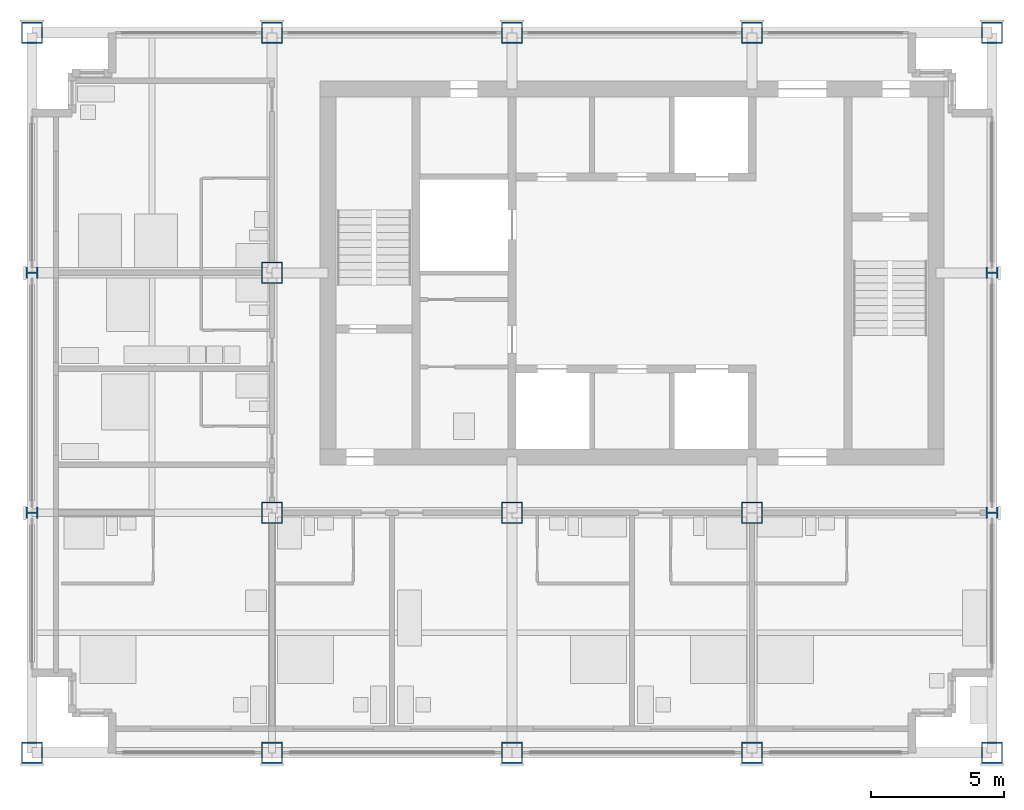
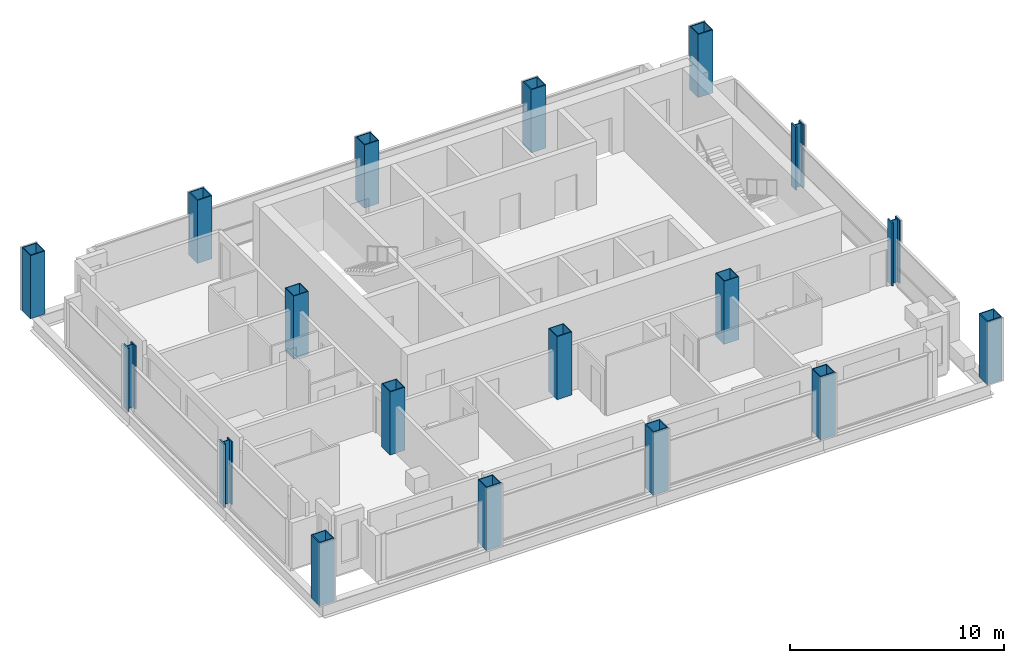
# One storey, part 1 of 12: 18 columns.
"""IFC4 building model written with IfcOpenShell, lengths in metres."""

from ifc_helpers import new_model, si_unit, direction, frame, origin, origin_2d, place, context, subcontext, project, spatial, hollow_rectangle, i_section, extrude, material, material_profile, profile_set, type_object, element, save


model = new_model("IFC4")

# Units and contexts
model_context = context("Model", 3, precision=1e-05, world=origin(), true_north=direction((0.0, 1.0)))
body_context = subcontext(model_context, "Body", "Model", "MODEL_VIEW")
ifc_project = project(units=[si_unit("LENGTHUNIT", "METRE"), si_unit("AREAUNIT", "SQUARE_METRE"), si_unit("VOLUMEUNIT", "CUBIC_METRE"), si_unit("PLANEANGLEUNIT", "RADIAN"), si_unit("MASSUNIT", "GRAM", prefix="KILO")], contexts=[model_context])

# Site, building, storey
site_placement = place(None, origin())
site = spatial("IfcSite", under=ifc_project, at=site_placement, CompositionType="ELEMENT")
building_placement = place(site_placement, origin())
building = spatial("IfcBuilding", under=site, at=building_placement, Name="Loomwork Tower", CompositionType="ELEMENT")
storey_placement = place(building_placement, frame((0.0, 0.0, 237.39990234375)))
storey = spatial("IfcBuildingStorey", under=building, at=storey_placement, Name="L65", CompositionType="ELEMENT", Elevation=237.39990234375)

# Columns
ifc_material_1 = material(Name="Steel ASTM A572 Grade 50 plate", Category="steel")
ifc_material_profile_1 = material_profile(ifc_material_1, hollow_rectangle(XDim=0.800048828125, YDim=0.800048828125, WallThickness=0.050048828125, at=origin_2d()), Name="BOX800x50")
ifc_profile_set_1 = profile_set([ifc_material_profile_1], Name="Steel ASTM A572 Grade 50 plate")
column_type_1 = type_object("IfcColumnType", Name="EXOSKELETON PIER BOX800x50", PredefinedType="COLUMN", material=ifc_profile_set_1)
for number, where, z_axis, x_axis, name in (
    (1, (0.0, 0.0, 0.0), (0.0, 0.0, 1.0), (1.0, 0.0, 0.0), "Exoskeleton Pier D/2 L65"),
    (2, (0.0, 27.0, 0.0), (0.0, 0.0, 1.0), (0.0, 1.0, 0.0), "Exoskeleton Pier G/2 L65"),
    (3, (9.0, 0.0, 0.0), (0.0, 0.0, 1.0), (1.0, 0.0, 0.0), "Exoskeleton Pier D/3 L65"),
    (4, (9.0, 27.0, 0.0), (0.0, 0.0, 1.0), (1.0, 0.0, 0.0), "Exoskeleton Pier G/3 L65"),
    (5, (18.0, 0.0, 0.0), (0.0, 0.0, 1.0), (1.0, 0.0, 0.0), "Exoskeleton Pier D/4 L65"),
    (6, (18.0, 27.0, 0.0), (0.0, 0.0, 1.0), (1.0, 0.0, 0.0), "Exoskeleton Pier G/4 L65"),
    (7, (27.0, 0.0, 0.0), (0.0, 0.0, 1.0), (1.0, 0.0, 0.0), "Exoskeleton Pier D/5 L65"),
    (8, (27.0, 27.0, 0.0), (0.0, 0.0, 1.0), (1.0, 0.0, 0.0), "Exoskeleton Pier G/5 L65"),
    (9, (36.0, 0.0, 0.0), (0.0, 0.0, 1.0), (1.0, 0.0, 0.0), "Exoskeleton Pier D/6 L65"),
    (10, (36.0, 27.0, 0.0), (0.0, 0.0, 1.0), (1.0, 0.0, 0.0), "Exoskeleton Pier G/6 L65"),
):
    element("IfcColumn", number, at=place(storey_placement, frame(where, z_axis=z_axis, x_axis=x_axis)), inside=storey, type_object=column_type_1, Name=name, PredefinedType="COLUMN", context=body_context, shape_type="SweptSolid", body=[
        extrude(hollow_rectangle(XDim=0.800048828125, YDim=0.800048828125, WallThickness=0.050048828125, at=origin_2d()), origin(), (0.0, 0.0, 1.0), 3.60009765625),
    ])
ifc_material_2 = material(Name="Steel ASTM A992", Category="steel")
ifc_material_profile_2 = material_profile(ifc_material_2, i_section(OverallWidth=0.421630859375, OverallDepth=0.46484375, WebThickness=0.044921875, FlangeThickness=0.072509765625, at=origin_2d()), Name="W14x398")
ifc_profile_set_2 = profile_set([ifc_material_profile_2], Name="Steel ASTM A992")
column_type_2 = type_object("IfcColumnType", Name="EXOSKELETON PIER W14x398", PredefinedType="COLUMN", material=ifc_profile_set_2)
for number, where, z_axis, x_axis, name in (
    (11, (0.0, 9.0, 0.0), (0.0, 0.0, 1.0), (0.0, 1.0, 0.0), "Exoskeleton Pier E/2 L65"),
    (12, (0.0, 18.0, 0.0), (0.0, 0.0, 1.0), (0.0, 1.0, 0.0), "Exoskeleton Pier F/2 L65"),
    (13, (36.0, 9.0, 0.0), (0.0, 0.0, 1.0), (0.0, 1.0, 0.0), "Exoskeleton Pier E/6 L65"),
    (14, (36.0, 18.0, 0.0), (0.0, 0.0, 1.0), (0.0, 1.0, 0.0), "Exoskeleton Pier F/6 L65"),
):
    element("IfcColumn", number, at=place(storey_placement, frame(where, z_axis=z_axis, x_axis=x_axis)), inside=storey, type_object=column_type_2, Name=name, PredefinedType="COLUMN", context=body_context, shape_type="SweptSolid", body=[
        extrude(i_section(OverallWidth=0.421630859375, OverallDepth=0.46484375, WebThickness=0.044921875, FlangeThickness=0.072509765625, at=origin_2d()), origin(), (0.0, 0.0, 1.0), 3.60009765625),
    ])
ifc_material_3 = material(Name="Steel ASTM A572 Grade 50 plate", Category="steel")
ifc_material_profile_3 = material_profile(ifc_material_3, hollow_rectangle(XDim=0.800048828125, YDim=0.800048828125, WallThickness=0.0400390625, at=origin_2d()), Name="BOX800x40")
ifc_profile_set_3 = profile_set([ifc_material_profile_3], Name="Steel ASTM A572 Grade 50 plate")
column_type_3 = type_object("IfcColumnType", Name="TOWER COLUMN BOX800x40", PredefinedType="COLUMN", material=ifc_profile_set_3)
for number, where, z_axis, x_axis, name in (
    (15, (9.0, 9.0, 0.0), (0.0, 0.0, 1.0), (1.0, 0.0, 0.0), "Tower Column E/3 L65"),
    (16, (9.0, 18.0, 0.0), (0.0, 0.0, 1.0), (1.0, 0.0, 0.0), "Tower Column F/3 L65"),
    (17, (18.0, 9.0, 0.0), (0.0, 0.0, 1.0), (1.0, 0.0, 0.0), "Tower Column E/4 L65"),
    (18, (27.0, 9.0, 0.0), (0.0, 0.0, 1.0), (1.0, 0.0, 0.0), "Tower Column E/5 L65"),
):
    element("IfcColumn", number, at=place(storey_placement, frame(where, z_axis=z_axis, x_axis=x_axis)), inside=storey, type_object=column_type_3, Name=name, PredefinedType="COLUMN", context=body_context, shape_type="SweptSolid", body=[
        extrude(hollow_rectangle(XDim=0.800048828125, YDim=0.800048828125, WallThickness=0.0400390625, at=origin_2d()), origin(), (0.0, 0.0, 1.0), 3.60009765625),
    ])

save(model, "model.ifc")
